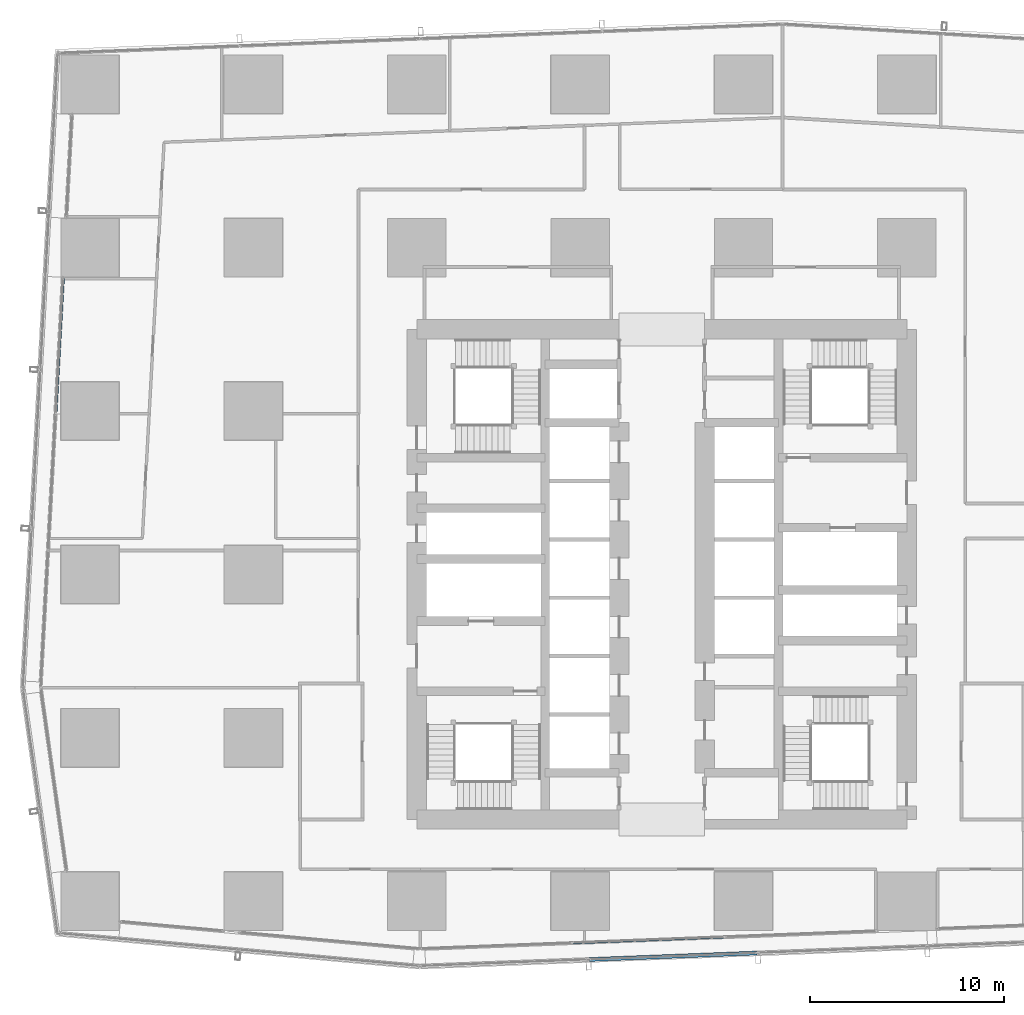
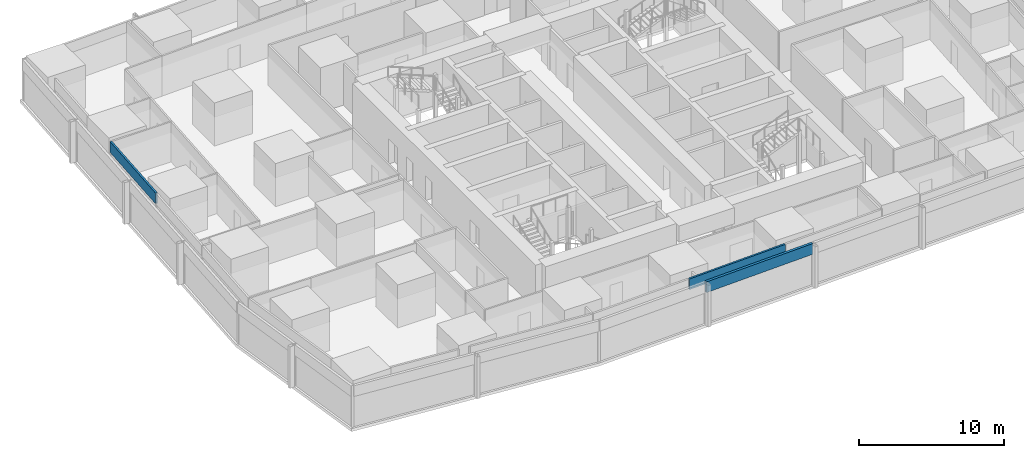
# One storey, part 8 of 39: 3 members, 3 elements without a shape of their own.
"""IFC4 building model written with IfcOpenShell, lengths in metres."""

import ifcopenshell
import ifcopenshell.guid

model = None  # the IFC model being written
_history = None  # IfcOwnerHistory: only IFC2X3 demands one
_inside = {}  # id of a spatial element -> (the spatial element, [elements in it])
_under = {}  # id of a project, library or spatial element -> (it, [spatial elements below it])
_declared = {}  # id of a project -> (the project, [libraries it declares])
_typed = {}  # id of a type object -> (the type object, [elements of that type])
_made_of = {}  # id of a material, layer set ... -> (it, [elements and type objects made of it])


def new_model(schema):
    """Start an empty IFC model of exactly this schema.

    Asked for "IFC4X3", IfcOpenShell would pick the latest addendum, in which some entities
    have other attributes; the version numbers below select the first issue.
    IFC2X3 requires an IfcOwnerHistory on every rooted entity: one is made here for all.
    """
    global model, _history
    if schema == "IFC4X3":
        model = ifcopenshell.file(schema_version=(4, 3, 0, 0))
    else:
        model = ifcopenshell.file(schema=schema)
    _inside.clear()
    _under.clear()
    _declared.clear()
    _typed.clear()
    _made_of.clear()
    _history = None
    if model.schema == "IFC2X3":
        org = make("IfcOrganization", Name="unknown")
        user = make(
            "IfcPersonAndOrganization",
            ThePerson=make("IfcPerson", FamilyName="unknown"),
            TheOrganization=org,
        )
        app = make(
            "IfcApplication",
            ApplicationDeveloper=org,
            Version="unknown",
            ApplicationFullName="unknown",
            ApplicationIdentifier="unknown",
        )
        _history = make(
            "IfcOwnerHistory",
            OwningUser=user,
            OwningApplication=app,
            ChangeAction="ADDED",
            CreationDate=0,
        )
    return model


def make(cls, **values):
    """One entity of the class cls with the attributes given. An attribute that is None is left unset."""
    return model.create_entity(
        cls, **{name: value for name, value in values.items() if value is not None}
    )


def rooted(cls, **values):
    """An entity with a GlobalId (a new one), such as an element, a storey or a relation."""
    return make(cls, GlobalId=ifcopenshell.guid.new(), OwnerHistory=_history, **values)


def si_unit(unit_type, name, prefix=None):
    """IfcSIUnit, for example si_unit("LENGTHUNIT", "METRE", prefix="MILLI")."""
    return make("IfcSIUnit", UnitType=unit_type, Prefix=prefix, Name=name)


def assignment(units):
    """IfcUnitAssignment: the units of a project."""
    return None if units is None else make("IfcUnitAssignment", Units=units)


def point(xyz):
    """IfcCartesianPoint."""
    return None if xyz is None else make("IfcCartesianPoint", Coordinates=xyz)


def direction(xyz):
    """IfcDirection."""
    return None if xyz is None else make("IfcDirection", DirectionRatios=xyz)


def frame(location, z_axis=None, x_axis=None):
    """IfcAxis2Placement3D, a coordinate frame: its origin and axes. An axis left out is left unset."""
    return make(
        "IfcAxis2Placement3D",
        Location=point(location),
        Axis=direction(z_axis),
        RefDirection=direction(x_axis),
    )


def frame_2d(location, x_axis=None):
    """IfcAxis2Placement2D, a coordinate frame in the plane: its origin and x axis."""
    return make(
        "IfcAxis2Placement2D", Location=point(location), RefDirection=direction(x_axis)
    )


def origin():
    """The frame at (0, 0, 0) with its axes left unset."""
    return frame((0.0, 0.0, 0.0))


def origin_2d():
    """The frame at (0, 0) in the plane with its x axis left unset."""
    return frame_2d((0.0, 0.0))


def place(relative_to, where):
    """IfcLocalPlacement: puts the frame where relative to a parent placement (None: the world)."""
    return make(
        "IfcLocalPlacement", PlacementRelTo=relative_to, RelativePlacement=where
    )


def context(
    kind, dimensions, precision=None, world=None, true_north=None, identifier=None
):
    """IfcGeometricRepresentationContext, for example the 3D "Model" context."""
    return make(
        "IfcGeometricRepresentationContext",
        ContextIdentifier=identifier,
        ContextType=kind,
        CoordinateSpaceDimension=dimensions,
        Precision=precision,
        WorldCoordinateSystem=world,
        TrueNorth=true_north,
    )


def subcontext(parent, identifier, kind, view, scale=None):
    """IfcGeometricRepresentationSubContext, for example "Body" below "Model"."""
    return make(
        "IfcGeometricRepresentationSubContext",
        ContextIdentifier=identifier,
        ContextType=kind,
        ParentContext=parent,
        TargetScale=scale,
        TargetView=view,
    )


def project(units=None, contexts=None):
    """IfcProject with its units and contexts."""
    return rooted(
        "IfcProject",
        Name="project",
        RepresentationContexts=contexts,
        UnitsInContext=assignment(units),
    )


def spatial(cls, under=None, at=None, **own):
    """A site, building, storey or space (cls), placed at a placement, below another one or the project."""
    s = rooted(cls, ObjectPlacement=at, **own)
    if under is not None:
        _under.setdefault(under.id(), (under, []))[1].append(s)
    return s


def profile(cls, at=None, kind="AREA", **sizes):
    """A parametric profile (cls). Its sizes go by their IFC names, for example OverallWidth=200.0."""
    return make(cls, ProfileType=kind, Position=at, **sizes)


def hollow_rectangle(**sizes):
    """IfcRectangleHollowProfileDef."""
    return profile("IfcRectangleHollowProfileDef", **sizes)


def extrude(swept, where, along, depth):
    """IfcExtrudedAreaSolid: the profile swept, set in the frame where, extruded along a direction by depth."""
    return make(
        "IfcExtrudedAreaSolid",
        SweptArea=swept,
        Position=where,
        ExtrudedDirection=direction(along),
        Depth=depth,
    )


def shape(context_of_items, identifier, shape_type, items):
    """IfcShapeRepresentation: the items that make up one representation, for example the "Body"."""
    return make(
        "IfcShapeRepresentation",
        ContextOfItems=context_of_items,
        RepresentationIdentifier=identifier,
        RepresentationType=shape_type,
        Items=items,
    )


def material(Name=None, Category=None):
    """IfcMaterial."""
    return make("IfcMaterial", Name=Name, Category=Category)


def material_profile(
    of_material, cross_section, Name=None, Category=None, Priority=None
):
    """IfcMaterialProfile: a cross section and its material."""
    return make(
        "IfcMaterialProfile",
        Name=Name,
        Material=of_material,
        Profile=cross_section,
        Priority=Priority,
        Category=Category,
    )


def profile_set(profiles, Name=None, composite=None):
    """IfcMaterialProfileSet."""
    return make(
        "IfcMaterialProfileSet",
        Name=Name,
        MaterialProfiles=profiles,
        CompositeProfile=composite,
    )


def made_of(thing, what):
    """Note that an element or type object is made of a material, layer set ...; save() writes the relation."""
    if what is not None:
        _made_of.setdefault(what.id(), (what, []))[1].append(thing)
    return thing


def type_object(cls, material=None, **own):
    """A type object (cls), such as IfcWallType, which elements share."""
    return made_of(rooted(cls, **own), material)


def element(
    cls,
    number,
    at=None,
    inside=None,
    cuts=None,
    type_object=None,
    material=None,
    context=None,
    identifier="Body",
    shape_type=None,
    held_by="IfcProductDefinitionShape",
    body=None,
    shapes=None,
    **own,
):
    """One element of the class cls, such as IfcWall. Its Tag is "e" and its number.

    at: its placement. inside: the storey or other place that contains it. cuts: it is an
    opening in that element (IfcRelVoidsElement). A single representation is given by context,
    identifier, shape_type and body (its items); several are given by shapes. held_by: the class
    of the entity that holds the representations. save() writes the other relations.
    """
    e = rooted(cls, Tag="e%d" % number, ObjectPlacement=at, **own)
    if body is not None:
        shapes = [shape(context, identifier, shape_type, body)]
    if shapes is not None:
        e.Representation = make(held_by, Representations=shapes)
    if inside is not None:
        _inside.setdefault(inside.id(), (inside, []))[1].append(e)
    if cuts is not None:
        rooted(
            "IfcRelVoidsElement", RelatingBuildingElement=cuts, RelatedOpeningElement=e
        )
    if type_object is not None:
        _typed.setdefault(type_object.id(), (type_object, []))[1].append(e)
    return made_of(e, material)


def aggregate(whole, parts):
    """IfcRelAggregates: a whole, such as a stair, and the parts it consists of."""
    return rooted("IfcRelAggregates", RelatingObject=whole, RelatedObjects=parts)


def save(model, path):
    """Write the relations noted so far, then the file.

    IfcRelAggregates (storeys below a building ...), IfcRelContainedInSpatialStructure (elements
    in a storey), IfcRelDefinesByType, IfcRelAssociatesMaterial and IfcRelDeclares: one each for
    every whole, place, type object, material and project.
    """
    for whole, parts in _under.values():
        aggregate(whole, parts)
    for where, things in _inside.values():
        rooted(
            "IfcRelContainedInSpatialStructure",
            RelatedElements=things,
            RelatingStructure=where,
        )
    for kind, things in _typed.values():
        rooted("IfcRelDefinesByType", RelatedObjects=things, RelatingType=kind)
    for what, things in _made_of.values():
        rooted("IfcRelAssociatesMaterial", RelatedObjects=things, RelatingMaterial=what)
    for by, libraries in _declared.values():
        rooted("IfcRelDeclares", RelatingContext=by, RelatedDefinitions=libraries)
    model.write(path)


model = new_model("IFC4")

# Units and contexts
model_context = context("Model", 3, precision=1e-05, world=origin(), true_north=direction((0.0, 1.0)))
body_context = subcontext(model_context, "Body", "Model", "MODEL_VIEW")
ifc_project = project(units=[si_unit("LENGTHUNIT", "METRE"), si_unit("AREAUNIT", "SQUARE_METRE"), si_unit("VOLUMEUNIT", "CUBIC_METRE"), si_unit("PLANEANGLEUNIT", "RADIAN"), si_unit("MASSUNIT", "GRAM", prefix="KILO")], contexts=[model_context])

# Site, building, storey
site_placement = place(None, origin())
site = spatial("IfcSite", under=ifc_project, at=site_placement, CompositionType="ELEMENT")
building_placement = place(site_placement, origin())
building = spatial("IfcBuilding", under=site, at=building_placement, Name="Rekha Terrace Tower", CompositionType="ELEMENT")
storey_placement = place(building_placement, frame((0.0, 0.0, 155.300048828125)))
storey = spatial("IfcBuildingStorey", under=building, at=storey_placement, Name="L39", CompositionType="ELEMENT", Elevation=155.300048828125)

# Curtain wall, member
ifc_material_1 = material(Name="Aluminium framing", Category="aluminium")
curtain_wall_type_1 = type_object("IfcCurtainWallType", Name="CW1 double skin inner glazing", PredefinedType="USERDEFINED", material=ifc_material_1)
curtain_wall_1_placement = place(storey_placement, origin())
curtain_wall_1 = element("IfcCurtainWall", 1, at=curtain_wall_1_placement, inside=storey, type_object=curtain_wall_type_1, Name="CW1 double skin inner glazing", ObjectType="DOUBLE SKIN INNER GLAZING", PredefinedType="USERDEFINED")
ifc_material_2 = material(Name="Insulated aluminium spandrel box", Category="aluminium")
ifc_material_profile_1 = material_profile(ifc_material_2, hollow_rectangle(XDim=0.14990234375, YDim=0.89990234375, WallThickness=0.0029296875, at=origin_2d()), Name="AL SPANDREL BOX 150x900")
ifc_profile_set_1 = profile_set([ifc_material_profile_1], Name="Insulated aluminium spandrel box")
member_type_1 = type_object("IfcMemberType", Name="CW1 spandrel transom 150 x 900", PredefinedType="USERDEFINED", material=ifc_profile_set_1)
member_1_placement = place(storey_placement, frame((33.224365234375, 14.66845703125, 3.050048828125), z_axis=(0.999243702564, 0.038884738465, 0.0), x_axis=(-0.038884738465, 0.999243702564, 0.0)))
member_1 = element("IfcMember", 2, at=member_1_placement, type_object=member_type_1, Name="CW1 spandrel transom 2", ObjectType="TRANSOM", PredefinedType="USERDEFINED", context=body_context, shape_type="SweptSolid", body=[
    extrude(hollow_rectangle(XDim=0.14990234375, YDim=0.89990234375, WallThickness=0.0029296875, at=origin_2d()), origin(), (0.0, 0.0, 1.0), 7.785400390625),
])
aggregate(curtain_wall_1, [member_1])

curtain_wall_2_placement = place(storey_placement, origin())
curtain_wall_2 = element("IfcCurtainWall", 3, at=curtain_wall_2_placement, inside=storey, type_object=curtain_wall_type_1, Name="CW1 double skin inner glazing", ObjectType="DOUBLE SKIN INNER GLAZING", PredefinedType="USERDEFINED")
member_2_placement = place(storey_placement, frame((7.01513671875, 48.809814453125, 3.050048828125), z_axis=(-0.054719179439, -0.998501783374, 0.0), x_axis=(0.998501783374, -0.054719179439, 0.0)))
member_2 = element("IfcMember", 4, at=member_2_placement, type_object=member_type_1, Name="CW1 spandrel transom 1", ObjectType="TRANSOM", PredefinedType="USERDEFINED", context=body_context, shape_type="SweptSolid", body=[
    extrude(hollow_rectangle(XDim=0.14990234375, YDim=0.89990234375, WallThickness=0.0029296875, at=origin_2d()), origin(), (0.0, 0.0, 1.0), 6.93359375),
])
aggregate(curtain_wall_2, [member_2])

curtain_wall_type_2 = type_object("IfcCurtainWallType", Name="CW2 double skin outer glazing", PredefinedType="USERDEFINED", material=ifc_material_1)
curtain_wall_3_placement = place(storey_placement, origin())
curtain_wall_3 = element("IfcCurtainWall", 5, at=curtain_wall_3_placement, inside=storey, type_object=curtain_wall_type_2, Name="CW2 double skin outer glazing", ObjectType="DOUBLE SKIN OUTER GLAZING", PredefinedType="USERDEFINED")
ifc_material_profile_2 = material_profile(ifc_material_2, hollow_rectangle(XDim=0.199951171875, YDim=0.89990234375, WallThickness=0.0029296875, at=origin_2d()), Name="AL SPANDREL BOX 200x900")
ifc_profile_set_2 = profile_set([ifc_material_profile_2], Name="Insulated aluminium spandrel box")
member_type_2 = type_object("IfcMemberType", Name="CW2 spandrel transom 200 x 900", PredefinedType="USERDEFINED", material=ifc_profile_set_2)
member_3_placement = place(storey_placement, frame((34.069091796875, 13.800537109375, 3.050048828125), z_axis=(0.999243438523, 0.038891523097, 0.0), x_axis=(-0.038891523097, 0.999243438523, 0.0)))
member_3 = element("IfcMember", 6, at=member_3_placement, type_object=member_type_2, Name="CW2 spandrel transom 2", ObjectType="TRANSOM", PredefinedType="USERDEFINED", context=body_context, shape_type="SweptSolid", body=[
    extrude(hollow_rectangle(XDim=0.199951171875, YDim=0.89990234375, WallThickness=0.0029296875, at=origin_2d()), origin(), (0.0, 0.0, 1.0), 8.631591796875),
])
aggregate(curtain_wall_3, [member_3])

save(model, "model.ifc")
